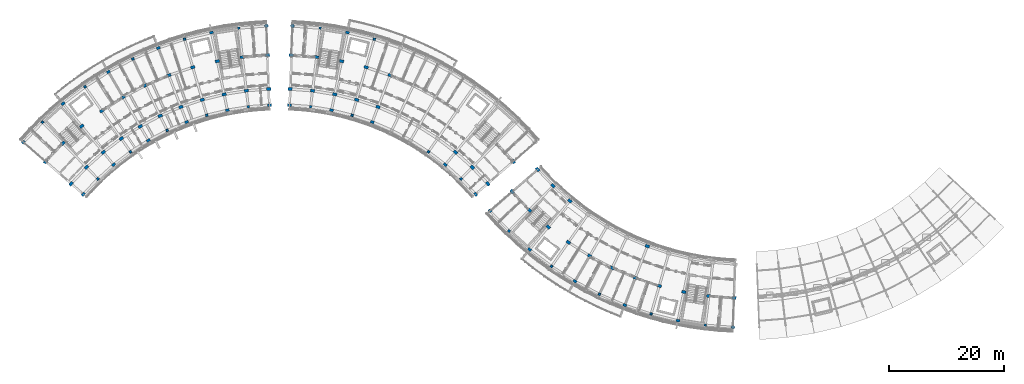
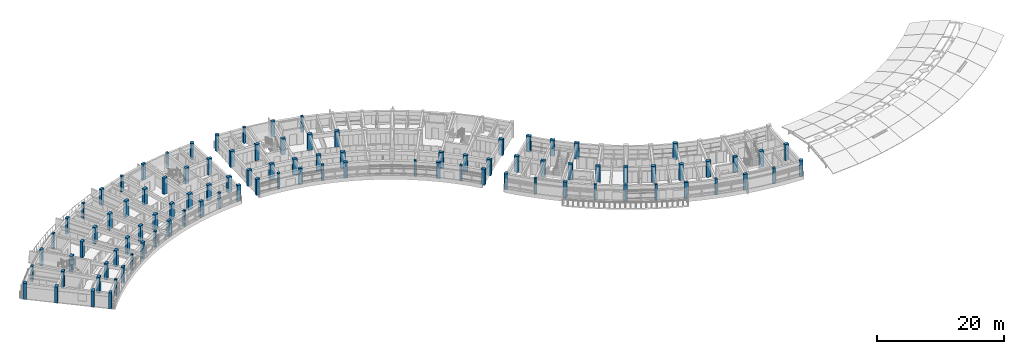
# One storey, part 1 of 50: 97 columns.
"""IFC4 building model written with IfcOpenShell, lengths in metres."""

import ifcopenshell
import ifcopenshell.guid

model = None  # the IFC model being written
_history = None  # IfcOwnerHistory: only IFC2X3 demands one
_inside = {}  # id of a spatial element -> (the spatial element, [elements in it])
_under = {}  # id of a project, library or spatial element -> (it, [spatial elements below it])
_declared = {}  # id of a project -> (the project, [libraries it declares])
_typed = {}  # id of a type object -> (the type object, [elements of that type])
_made_of = {}  # id of a material, layer set ... -> (it, [elements and type objects made of it])


def new_model(schema):
    """Start an empty IFC model of exactly this schema.

    Asked for "IFC4X3", IfcOpenShell would pick the latest addendum, in which some entities
    have other attributes; the version numbers below select the first issue.
    IFC2X3 requires an IfcOwnerHistory on every rooted entity: one is made here for all.
    """
    global model, _history
    if schema == "IFC4X3":
        model = ifcopenshell.file(schema_version=(4, 3, 0, 0))
    else:
        model = ifcopenshell.file(schema=schema)
    _inside.clear()
    _under.clear()
    _declared.clear()
    _typed.clear()
    _made_of.clear()
    _history = None
    if model.schema == "IFC2X3":
        org = make("IfcOrganization", Name="unknown")
        user = make(
            "IfcPersonAndOrganization",
            ThePerson=make("IfcPerson", FamilyName="unknown"),
            TheOrganization=org,
        )
        app = make(
            "IfcApplication",
            ApplicationDeveloper=org,
            Version="unknown",
            ApplicationFullName="unknown",
            ApplicationIdentifier="unknown",
        )
        _history = make(
            "IfcOwnerHistory",
            OwningUser=user,
            OwningApplication=app,
            ChangeAction="ADDED",
            CreationDate=0,
        )
    return model


def make(cls, **values):
    """One entity of the class cls with the attributes given. An attribute that is None is left unset."""
    return model.create_entity(
        cls, **{name: value for name, value in values.items() if value is not None}
    )


def rooted(cls, **values):
    """An entity with a GlobalId (a new one), such as an element, a storey or a relation."""
    return make(cls, GlobalId=ifcopenshell.guid.new(), OwnerHistory=_history, **values)


def si_unit(unit_type, name, prefix=None):
    """IfcSIUnit, for example si_unit("LENGTHUNIT", "METRE", prefix="MILLI")."""
    return make("IfcSIUnit", UnitType=unit_type, Prefix=prefix, Name=name)


def assignment(units):
    """IfcUnitAssignment: the units of a project."""
    return None if units is None else make("IfcUnitAssignment", Units=units)


def point(xyz):
    """IfcCartesianPoint."""
    return None if xyz is None else make("IfcCartesianPoint", Coordinates=xyz)


def direction(xyz):
    """IfcDirection."""
    return None if xyz is None else make("IfcDirection", DirectionRatios=xyz)


def frame(location, z_axis=None, x_axis=None):
    """IfcAxis2Placement3D, a coordinate frame: its origin and axes. An axis left out is left unset."""
    return make(
        "IfcAxis2Placement3D",
        Location=point(location),
        Axis=direction(z_axis),
        RefDirection=direction(x_axis),
    )


def frame_2d(location, x_axis=None):
    """IfcAxis2Placement2D, a coordinate frame in the plane: its origin and x axis."""
    return make(
        "IfcAxis2Placement2D", Location=point(location), RefDirection=direction(x_axis)
    )


def origin():
    """The frame at (0, 0, 0) with its axes left unset."""
    return frame((0.0, 0.0, 0.0))


def origin_2d():
    """The frame at (0, 0) in the plane with its x axis left unset."""
    return frame_2d((0.0, 0.0))


def place(relative_to, where):
    """IfcLocalPlacement: puts the frame where relative to a parent placement (None: the world)."""
    return make(
        "IfcLocalPlacement", PlacementRelTo=relative_to, RelativePlacement=where
    )


def context(
    kind, dimensions, precision=None, world=None, true_north=None, identifier=None
):
    """IfcGeometricRepresentationContext, for example the 3D "Model" context."""
    return make(
        "IfcGeometricRepresentationContext",
        ContextIdentifier=identifier,
        ContextType=kind,
        CoordinateSpaceDimension=dimensions,
        Precision=precision,
        WorldCoordinateSystem=world,
        TrueNorth=true_north,
    )


def subcontext(parent, identifier, kind, view, scale=None):
    """IfcGeometricRepresentationSubContext, for example "Body" below "Model"."""
    return make(
        "IfcGeometricRepresentationSubContext",
        ContextIdentifier=identifier,
        ContextType=kind,
        ParentContext=parent,
        TargetScale=scale,
        TargetView=view,
    )


def project(units=None, contexts=None):
    """IfcProject with its units and contexts."""
    return rooted(
        "IfcProject",
        Name="project",
        RepresentationContexts=contexts,
        UnitsInContext=assignment(units),
    )


def spatial(cls, under=None, at=None, **own):
    """A site, building, storey or space (cls), placed at a placement, below another one or the project."""
    s = rooted(cls, ObjectPlacement=at, **own)
    if under is not None:
        _under.setdefault(under.id(), (under, []))[1].append(s)
    return s


def profile(cls, at=None, kind="AREA", **sizes):
    """A parametric profile (cls). Its sizes go by their IFC names, for example OverallWidth=200.0."""
    return make(cls, ProfileType=kind, Position=at, **sizes)


def rectangle(**sizes):
    """IfcRectangleProfileDef."""
    return profile("IfcRectangleProfileDef", **sizes)


def circle(**sizes):
    """IfcCircleProfileDef."""
    return profile("IfcCircleProfileDef", **sizes)


def extrude(swept, where, along, depth):
    """IfcExtrudedAreaSolid: the profile swept, set in the frame where, extruded along a direction by depth."""
    return make(
        "IfcExtrudedAreaSolid",
        SweptArea=swept,
        Position=where,
        ExtrudedDirection=direction(along),
        Depth=depth,
    )


def shape(context_of_items, identifier, shape_type, items):
    """IfcShapeRepresentation: the items that make up one representation, for example the "Body"."""
    return make(
        "IfcShapeRepresentation",
        ContextOfItems=context_of_items,
        RepresentationIdentifier=identifier,
        RepresentationType=shape_type,
        Items=items,
    )


def material(Name=None, Category=None):
    """IfcMaterial."""
    return make("IfcMaterial", Name=Name, Category=Category)


def material_profile(
    of_material, cross_section, Name=None, Category=None, Priority=None
):
    """IfcMaterialProfile: a cross section and its material."""
    return make(
        "IfcMaterialProfile",
        Name=Name,
        Material=of_material,
        Profile=cross_section,
        Priority=Priority,
        Category=Category,
    )


def profile_set(profiles, Name=None, composite=None):
    """IfcMaterialProfileSet."""
    return make(
        "IfcMaterialProfileSet",
        Name=Name,
        MaterialProfiles=profiles,
        CompositeProfile=composite,
    )


def made_of(thing, what):
    """Note that an element or type object is made of a material, layer set ...; save() writes the relation."""
    if what is not None:
        _made_of.setdefault(what.id(), (what, []))[1].append(thing)
    return thing


def type_object(cls, material=None, **own):
    """A type object (cls), such as IfcWallType, which elements share."""
    return made_of(rooted(cls, **own), material)


def element(
    cls,
    number,
    at=None,
    inside=None,
    cuts=None,
    type_object=None,
    material=None,
    context=None,
    identifier="Body",
    shape_type=None,
    held_by="IfcProductDefinitionShape",
    body=None,
    shapes=None,
    **own,
):
    """One element of the class cls, such as IfcWall. Its Tag is "e" and its number.

    at: its placement. inside: the storey or other place that contains it. cuts: it is an
    opening in that element (IfcRelVoidsElement). A single representation is given by context,
    identifier, shape_type and body (its items); several are given by shapes. held_by: the class
    of the entity that holds the representations. save() writes the other relations.
    """
    e = rooted(cls, Tag="e%d" % number, ObjectPlacement=at, **own)
    if body is not None:
        shapes = [shape(context, identifier, shape_type, body)]
    if shapes is not None:
        e.Representation = make(held_by, Representations=shapes)
    if inside is not None:
        _inside.setdefault(inside.id(), (inside, []))[1].append(e)
    if cuts is not None:
        rooted(
            "IfcRelVoidsElement", RelatingBuildingElement=cuts, RelatedOpeningElement=e
        )
    if type_object is not None:
        _typed.setdefault(type_object.id(), (type_object, []))[1].append(e)
    return made_of(e, material)


def aggregate(whole, parts):
    """IfcRelAggregates: a whole, such as a stair, and the parts it consists of."""
    return rooted("IfcRelAggregates", RelatingObject=whole, RelatedObjects=parts)


def save(model, path):
    """Write the relations noted so far, then the file.

    IfcRelAggregates (storeys below a building ...), IfcRelContainedInSpatialStructure (elements
    in a storey), IfcRelDefinesByType, IfcRelAssociatesMaterial and IfcRelDeclares: one each for
    every whole, place, type object, material and project.
    """
    for whole, parts in _under.values():
        aggregate(whole, parts)
    for where, things in _inside.values():
        rooted(
            "IfcRelContainedInSpatialStructure",
            RelatedElements=things,
            RelatingStructure=where,
        )
    for kind, things in _typed.values():
        rooted("IfcRelDefinesByType", RelatedObjects=things, RelatingType=kind)
    for what, things in _made_of.values():
        rooted("IfcRelAssociatesMaterial", RelatedObjects=things, RelatingMaterial=what)
    for by, libraries in _declared.values():
        rooted("IfcRelDeclares", RelatingContext=by, RelatedDefinitions=libraries)
    model.write(path)


model = new_model("IFC4")

# Units and contexts
model_context = context("Model", 3, precision=1e-05, world=origin(), true_north=direction((0.0, 1.0)))
body_context = subcontext(model_context, "Body", "Model", "MODEL_VIEW")
ifc_project = project(units=[si_unit("LENGTHUNIT", "METRE"), si_unit("AREAUNIT", "SQUARE_METRE"), si_unit("VOLUMEUNIT", "CUBIC_METRE"), si_unit("PLANEANGLEUNIT", "RADIAN"), si_unit("MASSUNIT", "GRAM", prefix="KILO")], contexts=[model_context])

# Site, building, storey
site_placement = place(None, origin())
site = spatial("IfcSite", under=ifc_project, at=site_placement, CompositionType="ELEMENT")
building_placement = place(site_placement, origin())
building = spatial("IfcBuilding", under=site, at=building_placement, Name="Zimvara Arc Housing Community", CompositionType="ELEMENT")
storey_placement = place(building_placement, frame((0.0, 0.0, 26.699951171875)))
storey = spatial("IfcBuildingStorey", under=building, at=storey_placement, Name="L08", CompositionType="ELEMENT", Elevation=26.699951171875)

# Columns
ifc_material_1 = material(Name="Concrete C40/50", Category="concrete")
ifc_material_profile_1 = material_profile(ifc_material_1, rectangle(XDim=0.39990234375, YDim=0.39990234375, at=origin_2d()), Name="RC 400x400")
ifc_profile_set_1 = profile_set([ifc_material_profile_1], Name="Concrete C40/50")
column_type_1 = type_object("IfcColumnType", Name="COL-RC-400x400", PredefinedType="COLUMN", material=ifc_profile_set_1)
for number, where, z_axis, x_axis, name in (
    (1, (13.476318359375, 76.781005859375, 0.0), (0.0, 0.0, 1.0), (-0.698665066769, 0.715448897181, 0.0), "col:blkA:L08:b1:r0"),
    (2, (3.862548828125, 86.625732421875, 0.0), (0.0, 0.0, 1.0), (-0.698665066769, 0.715448897181, 0.0), "col:blkA:L08:b1:r3"),
    (3, (19.14599609375, 81.478271484375, 0.0), (0.0, 0.0, 1.0), (-0.573004420611, 0.819552276527, 0.0), "col:blkA:L08:b3:r0"),
    (4, (11.261474609375, 92.755126953125, 0.0), (0.0, 0.0, 1.0), (-0.573004420611, 0.819552276527, 0.0), "col:blkA:L08:b3:r3"),
    (5, (25.50439453125, 85.190673828125, 0.0), (0.0, 0.0, 1.0), (-0.432085748802, 0.901832526405, 0.0), "col:blkA:L08:b5:r0"),
    (6, (19.558837890625, 97.599853515625, 0.0), (0.0, 0.0, 1.0), (-0.432085748802, 0.901832526405, 0.0), "col:blkA:L08:b5:r3"),
    (7, (32.381591796875, 87.819580078125, 0.0), (0.0, 0.0, 1.0), (-0.27966144946, 0.96009867914, 0.0), "col:blkA:L08:b7:r0"),
    (8, (28.533447265625, 101.030517578125, 0.0), (0.0, 0.0, 1.0), (-0.27966144946, 0.96009867914, 0.0), "col:blkA:L08:b7:r3"),
    (9, (39.594970703125, 89.295166015625, 0.0), (0.0, 0.0, 1.0), (-0.119790293837, 0.992799217114, 0.0), "col:blkA:L08:b9:r0"),
    (10, (37.94677734375, 102.9560546875, 0.0), (0.0, 0.0, 1.0), (-0.119790293837, 0.992799217114, 0.0), "col:blkA:L08:b9:r3"),
    (11, (50.405029296875, 89.295166015625, 0.0), (0.0, 0.0, 1.0), (0.119790293837, 0.992799217114, 0.0), "col:blkB:L08:b1:r0"),
    (12, (52.05322265625, 102.9560546875, 0.0), (0.0, 0.0, 1.0), (0.119790293837, 0.992799217114, 0.0), "col:blkB:L08:b1:r3"),
    (13, (57.618408203125, 87.819580078125, 0.0), (0.0, 0.0, 1.0), (0.27966144946, 0.96009867914, 0.0), "col:blkB:L08:b3:r0"),
    (14, (61.466552734375, 101.030517578125, 0.0), (0.0, 0.0, 1.0), (0.27966144946, 0.96009867914, 0.0), "col:blkB:L08:b3:r3"),
    (15, (70.85400390625, 81.478271484375, 0.0), (0.0, 0.0, 1.0), (0.573004420611, 0.819552276527, 0.0), "col:blkB:L08:b7:r0"),
    (16, (76.523681640625, 76.781005859375, 0.0), (0.0, 0.0, 1.0), (0.698665066769, 0.715448897181, 0.0), "col:blkB:L08:b9:r0"),
    (17, (84.842529296875, 67.734375, 0.0), (0.0, 0.0, 1.0), (-0.698665066769, -0.715448897181, 0.0), "col:blkC:L08:b1:r3"),
    (18, (92.241455078125, 61.604736328125, 0.0), (0.0, 0.0, 1.0), (-0.573004420611, -0.819552276527, 0.0), "col:blkC:L08:b3:r3"),
    (19, (100.538818359375, 56.760009765625, 0.0), (0.0, 0.0, 1.0), (-0.432085748802, -0.901832526405, 0.0), "col:blkC:L08:b5:r3"),
    (20, (109.513427734375, 53.329345703125, 0.0), (0.0, 0.0, 1.0), (-0.27966144946, -0.96009867914, 0.0), "col:blkC:L08:b7:r3"),
    (21, (118.9267578125, 51.404052734375, 0.0), (0.0, 0.0, 1.0), (-0.119790293837, -0.992799217114, 0.0), "col:blkC:L08:b9:r3"),
):
    element("IfcColumn", number, at=place(storey_placement, frame(where, z_axis=z_axis, x_axis=x_axis)), inside=storey, type_object=column_type_1, Name=name, PredefinedType="COLUMN", context=body_context, shape_type="SweptSolid", body=[
        extrude(rectangle(XDim=0.39990234375, YDim=0.39990234375, at=origin_2d()), origin(), (0.0, 0.0, 1.0), 3.10009765625),
    ])
ifc_material_2 = material(Name="Concrete C40/50", Category="concrete")
ifc_material_profile_2 = material_profile(ifc_material_2, rectangle(XDim=0.449951171875, YDim=0.64990234375, at=origin_2d()), Name="RC 450x650")
ifc_profile_set_2 = profile_set([ifc_material_profile_2], Name="Concrete C40/50")
column_type_2 = type_object("IfcColumnType", Name="COL-RC-450x650", PredefinedType="COLUMN", material=ifc_profile_set_2)
for number, where, z_axis, x_axis, name in (
    (22, (10.947509765625, 74.101318359375, 0.0), (0.0, 0.0, 1.0), (-0.754709580223, 0.656059028991, 0.0), "col:blkA:L08:b0:r0"),
    (23, (16.215087890625, 79.245361328125, 0.0), (0.0, 0.0, 1.0), (-0.637961754089, 0.770068049148, 0.0), "col:blkA:L08:b2:r0"),
    (24, (7.436767578125, 89.841552734375, 0.0), (0.0, 0.0, 1.0), (-0.637961754089, 0.770068049148, 0.0), "col:blkA:L08:b2:r3"),
    (25, (22.249267578125, 83.46435546875, 0.0), (0.0, 0.0, 1.0), (-0.504226211181, 0.863571611366, 0.0), "col:blkA:L08:b4:r0"),
    (26, (15.311279296875, 95.34716796875, 0.0), (0.0, 0.0, 1.0), (-0.504226211181, 0.863571611366, 0.0), "col:blkA:L08:b4:r3"),
    (27, (28.88916015625, 86.645751953125, 0.0), (0.0, 0.0, 1.0), (-0.357064076459, 0.934079892355, 0.0), "col:blkA:L08:b6:r0"),
    (28, (23.97607421875, 99.49853515625, 0.0), (0.0, 0.0, 1.0), (-0.357064076459, 0.934079892355, 0.0), "col:blkA:L08:b6:r3"),
    (29, (35.958251953125, 88.704833984375, 0.0), (0.0, 0.0, 1.0), (-0.200393999665, 0.979715389742, 0.0), "col:blkA:L08:b8:r0"),
    (30, (33.20068359375, 102.185546875, 0.0), (0.0, 0.0, 1.0), (-0.200393999665, 0.979715389742, 0.0), "col:blkA:L08:b8:r3"),
    (31, (43.267822265625, 89.586669921875, 0.0), (0.0, 0.0, 1.0), (-0.038387809088, 0.999262916411, 0.0), "col:blkA:L08:b10:r0"),
    (32, (46.732177734375, 89.586669921875, 0.0), (0.0, 0.0, 1.0), (0.038387809088, 0.999262916411, 0.0), "col:blkB:L08:b0:r0"),
    (33, (54.041748046875, 88.704833984375, 0.0), (0.0, 0.0, 1.0), (0.200393999665, 0.979715389742, 0.0), "col:blkB:L08:b2:r0"),
    (34, (56.79931640625, 102.185546875, 0.0), (0.0, 0.0, 1.0), (0.200393999665, 0.979715389742, 0.0), "col:blkB:L08:b2:r3"),
    (35, (61.11083984375, 86.645751953125, 0.0), (0.0, 0.0, 1.0), (0.357064076459, 0.934079892355, 0.0), "col:blkB:L08:b4:r0"),
    (36, (73.784912109375, 79.245361328125, 0.0), (0.0, 0.0, 1.0), (0.637961754089, 0.770068049148, 0.0), "col:blkB:L08:b8:r0"),
    (37, (79.052490234375, 74.101318359375, 0.0), (0.0, 0.0, 1.0), (0.754709580223, 0.656059028991, 0.0), "col:blkB:L08:b10:r0"),
    (38, (88.416748046875, 64.518310546875, 0.0), (0.0, 0.0, 1.0), (-0.637961754089, -0.770068049148, 0.0), "col:blkC:L08:b2:r3"),
    (39, (96.291259765625, 59.012939453125, 0.0), (0.0, 0.0, 1.0), (-0.504226211181, -0.863571611366, 0.0), "col:blkC:L08:b4:r3"),
    (40, (104.9560546875, 54.861328125, 0.0), (0.0, 0.0, 1.0), (-0.357064076459, -0.934079892355, 0.0), "col:blkC:L08:b6:r3"),
    (41, (114.180908203125, 52.17431640625, 0.0), (0.0, 0.0, 1.0), (-0.200393999665, -0.979715389742, 0.0), "col:blkC:L08:b8:r3"),
):
    element("IfcColumn", number, at=place(storey_placement, frame(where, z_axis=z_axis, x_axis=x_axis)), inside=storey, type_object=column_type_2, Name=name, PredefinedType="COLUMN", context=body_context, shape_type="SweptSolid", body=[
        extrude(rectangle(XDim=0.449951171875, YDim=0.64990234375, at=origin_2d()), origin(), (0.0, 0.0, 1.0), 3.10009765625),
    ])
ifc_material_3 = material(Name="Concrete C40/50", Category="concrete")
ifc_material_profile_3 = material_profile(ifc_material_3, rectangle(XDim=0.5, YDim=0.75, at=origin_2d()), Name="RC 500x750")
ifc_profile_set_3 = profile_set([ifc_material_profile_3], Name="Concrete C40/50")
column_type_3 = type_object("IfcColumnType", Name="COL-RC-500x750", PredefinedType="COLUMN", material=ifc_profile_set_3)
for number, where, z_axis, x_axis, name in (
    (42, (8.834228515625, 75.938232421875, 0.0), (0.0, 0.0, 1.0), (-0.754709580223, 0.656059028991, 0.0), "col:blkA:L08:b0:r1"),
    (43, (4.396728515625, 79.7958984375, 0.0), (0.0, 0.0, 1.0), (-0.754709580223, 0.656059028991, 0.0), "col:blkA:L08:b0:r2"),
    (44, (11.52001953125, 78.784423828125, 0.0), (0.0, 0.0, 1.0), (-0.698665066769, 0.715448897181, 0.0), "col:blkA:L08:b1:r1"),
    (45, (7.411865234375, 82.9912109375, 0.0), (0.0, 0.0, 1.0), (-0.698665066769, 0.715448897181, 0.0), "col:blkA:L08:b1:r2"),
    (46, (14.428955078125, 81.401611328125, 0.0), (0.0, 0.0, 1.0), (-0.637961754089, 0.770068049148, 0.0), "col:blkA:L08:b2:r1"),
    (47, (10.677734375, 85.9296875, 0.0), (0.0, 0.0, 1.0), (-0.637961754089, 0.770068049148, 0.0), "col:blkA:L08:b2:r2"),
    (48, (17.541748046875, 83.77294921875, 0.0), (0.0, 0.0, 1.0), (-0.573004420611, 0.819552276527, 0.0), "col:blkA:L08:b3:r1"),
    (49, (14.17236328125, 88.591796875, 0.0), (0.0, 0.0, 1.0), (-0.573004420611, 0.819552276527, 0.0), "col:blkA:L08:b3:r2"),
    (50, (20.83740234375, 85.88232421875, 0.0), (0.0, 0.0, 1.0), (-0.504226211181, 0.863571611366, 0.0), "col:blkA:L08:b4:r1"),
    (51, (17.87255859375, 90.960205078125, 0.0), (0.0, 0.0, 1.0), (-0.504226211181, 0.863571611366, 0.0), "col:blkA:L08:b4:r2"),
    (52, (24.29443359375, 87.7158203125, 0.0), (0.0, 0.0, 1.0), (-0.432085748802, 0.901832526405, 0.0), "col:blkA:L08:b5:r1"),
    (53, (21.75390625, 93.0185546875, 0.0), (0.0, 0.0, 1.0), (-0.432085748802, 0.901832526405, 0.0), "col:blkA:L08:b5:r2"),
    (54, (27.889404296875, 89.260986328125, 0.0), (0.0, 0.0, 1.0), (-0.357064076459, 0.934079892355, 0.0), "col:blkA:L08:b6:r1"),
    (55, (25.7900390625, 94.75341796875, 0.0), (0.0, 0.0, 1.0), (-0.357064076459, 0.934079892355, 0.0), "col:blkA:L08:b6:r2"),
    (56, (31.5986328125, 90.5078125, 0.0), (0.0, 0.0, 1.0), (-0.27966144946, 0.96009867914, 0.0), "col:blkA:L08:b7:r1"),
    (57, (29.9541015625, 96.1533203125, 0.0), (0.0, 0.0, 1.0), (-0.27966144946, 0.96009867914, 0.0), "col:blkA:L08:b7:r2"),
    (58, (35.397216796875, 91.447998046875, 0.0), (0.0, 0.0, 1.0), (-0.200393999665, 0.979715389742, 0.0), "col:blkA:L08:b8:r1"),
    (59, (34.21875, 97.208740234375, 0.0), (0.0, 0.0, 1.0), (-0.200393999665, 0.979715389742, 0.0), "col:blkA:L08:b8:r2"),
    (60, (39.259765625, 92.074951171875, 0.0), (0.0, 0.0, 1.0), (-0.119790293837, 0.992799217114, 0.0), "col:blkA:L08:b9:r1"),
    (61, (38.55517578125, 97.91259765625, 0.0), (0.0, 0.0, 1.0), (-0.119790293837, 0.992799217114, 0.0), "col:blkA:L08:b9:r2"),
    (62, (43.160400390625, 92.384765625, 0.0), (0.0, 0.0, 1.0), (-0.038387809088, 0.999262916411, 0.0), "col:blkA:L08:b10:r1"),
    (63, (42.934814453125, 98.26025390625, 0.0), (0.0, 0.0, 1.0), (-0.038387809088, 0.999262916411, 0.0), "col:blkA:L08:b10:r2"),
    (64, (46.839599609375, 92.384765625, 0.0), (0.0, 0.0, 1.0), (0.038387809088, 0.999262916411, 0.0), "col:blkB:L08:b0:r1"),
    (65, (47.065185546875, 98.26025390625, 0.0), (0.0, 0.0, 1.0), (0.038387809088, 0.999262916411, 0.0), "col:blkB:L08:b0:r2"),
    (66, (50.740234375, 92.074951171875, 0.0), (0.0, 0.0, 1.0), (0.119790293837, 0.992799217114, 0.0), "col:blkB:L08:b1:r1"),
    (67, (51.44482421875, 97.91259765625, 0.0), (0.0, 0.0, 1.0), (0.119790293837, 0.992799217114, 0.0), "col:blkB:L08:b1:r2"),
    (68, (54.602783203125, 91.447998046875, 0.0), (0.0, 0.0, 1.0), (0.200393999665, 0.979715389742, 0.0), "col:blkB:L08:b2:r1"),
    (69, (55.78125, 97.208740234375, 0.0), (0.0, 0.0, 1.0), (0.200393999665, 0.979715389742, 0.0), "col:blkB:L08:b2:r2"),
    (70, (58.4013671875, 90.5078125, 0.0), (0.0, 0.0, 1.0), (0.27966144946, 0.96009867914, 0.0), "col:blkB:L08:b3:r1"),
    (71, (60.0458984375, 96.1533203125, 0.0), (0.0, 0.0, 1.0), (0.27966144946, 0.96009867914, 0.0), "col:blkB:L08:b3:r2"),
    (72, (62.110595703125, 89.260986328125, 0.0), (0.0, 0.0, 1.0), (0.357064076459, 0.934079892355, 0.0), "col:blkB:L08:b4:r1"),
    (73, (64.2099609375, 94.75341796875, 0.0), (0.0, 0.0, 1.0), (0.357064076459, 0.934079892355, 0.0), "col:blkB:L08:b4:r2"),
    (74, (75.571044921875, 81.401611328125, 0.0), (0.0, 0.0, 1.0), (0.637961754089, 0.770068049148, 0.0), "col:blkB:L08:b8:r1"),
    (75, (78.47998046875, 78.784423828125, 0.0), (0.0, 0.0, 1.0), (0.698665066769, 0.715448897181, 0.0), "col:blkB:L08:b9:r1"),
    (76, (81.165771484375, 75.938232421875, 0.0), (0.0, 0.0, 1.0), (0.754709580223, 0.656059028991, 0.0), "col:blkB:L08:b10:r1"),
    (77, (85.603271484375, 79.7958984375, 0.0), (0.0, 0.0, 1.0), (0.754709580223, 0.656059028991, 0.0), "col:blkB:L08:b10:r2"),
    (78, (89.814208984375, 78.421630859375, 0.0), (0.0, 0.0, 1.0), (-0.754709580223, -0.656059028991, 0.0), "col:blkC:L08:b0:r1"),
    (79, (85.376708984375, 74.56396484375, 0.0), (0.0, 0.0, 1.0), (-0.754709580223, -0.656059028991, 0.0), "col:blkC:L08:b0:r2"),
    (80, (92.5, 75.57568359375, 0.0), (0.0, 0.0, 1.0), (-0.698665066769, -0.715448897181, 0.0), "col:blkC:L08:b1:r1"),
    (81, (88.391845703125, 71.368896484375, 0.0), (0.0, 0.0, 1.0), (-0.698665066769, -0.715448897181, 0.0), "col:blkC:L08:b1:r2"),
    (82, (95.408935546875, 72.958251953125, 0.0), (0.0, 0.0, 1.0), (-0.637961754089, -0.770068049148, 0.0), "col:blkC:L08:b2:r1"),
    (83, (91.65771484375, 68.430419921875, 0.0), (0.0, 0.0, 1.0), (-0.637961754089, -0.770068049148, 0.0), "col:blkC:L08:b2:r2"),
    (84, (95.15234375, 65.76806640625, 0.0), (0.0, 0.0, 1.0), (-0.573004420611, -0.819552276527, 0.0), "col:blkC:L08:b3:r2"),
    (85, (98.8525390625, 63.39990234375, 0.0), (0.0, 0.0, 1.0), (-0.504226211181, -0.863571611366, 0.0), "col:blkC:L08:b4:r2"),
    (86, (102.73388671875, 61.34130859375, 0.0), (0.0, 0.0, 1.0), (-0.432085748802, -0.901832526405, 0.0), "col:blkC:L08:b5:r2"),
    (87, (108.869384765625, 65.098876953125, 0.0), (0.0, 0.0, 1.0), (-0.357064076459, -0.934079892355, 0.0), "col:blkC:L08:b6:r1"),
    (88, (106.77001953125, 59.6064453125, 0.0), (0.0, 0.0, 1.0), (-0.357064076459, -0.934079892355, 0.0), "col:blkC:L08:b6:r2"),
    (89, (110.934326171875, 58.206787109375, 0.0), (0.0, 0.0, 1.0), (-0.27966144946, -0.96009867914, 0.0), "col:blkC:L08:b7:r2"),
    (90, (115.19873046875, 57.1513671875, 0.0), (0.0, 0.0, 1.0), (-0.200393999665, -0.979715389742, 0.0), "col:blkC:L08:b8:r2"),
    (91, (119.535400390625, 56.447509765625, 0.0), (0.0, 0.0, 1.0), (-0.119790293837, -0.992799217114, 0.0), "col:blkC:L08:b9:r2"),
    (92, (123.914794921875, 56.099609375, 0.0), (0.0, 0.0, 1.0), (-0.038387809088, -0.999262916411, 0.0), "col:blkC:L08:b10:r2"),
):
    element("IfcColumn", number, at=place(storey_placement, frame(where, z_axis=z_axis, x_axis=x_axis)), inside=storey, type_object=column_type_3, Name=name, PredefinedType="COLUMN", context=body_context, shape_type="SweptSolid", body=[
        extrude(rectangle(XDim=0.5, YDim=0.75, at=origin_2d()), origin(), (0.0, 0.0, 1.0), 3.10009765625),
    ])
ifc_material_4 = material(Name="Concrete C40/50", Category="concrete")
ifc_material_profile_4 = material_profile(ifc_material_4, circle(Radius=0.324951171875, at=origin_2d()), Name="RC D650")
ifc_profile_set_4 = profile_set([ifc_material_profile_4], Name="Concrete C40/50")
column_type_4 = type_object("IfcColumnType", Name="COL-RC-D600", PredefinedType="COLUMN", material=ifc_profile_set_4)
for number, where, z_axis, x_axis, name in (
    (93, (0.562744140625, 83.128662109375, 0.0), (0.0, 0.0, 1.0), (-0.754709580223, 0.656059028991, 0.0), "col:blkA:L08:b0:r3"),
    (94, (42.73974609375, 103.336669921875, 0.0), (0.0, 0.0, 1.0), (-0.038387809088, 0.999262916411, 0.0), "col:blkA:L08:b10:r3"),
    (95, (47.26025390625, 103.336669921875, 0.0), (0.0, 0.0, 1.0), (0.038387809088, 0.999262916411, 0.0), "col:blkB:L08:b0:r3"),
    (96, (81.542724609375, 71.231201171875, 0.0), (0.0, 0.0, 1.0), (-0.754709580223, -0.656059028991, 0.0), "col:blkC:L08:b0:r3"),
    (97, (123.7197265625, 51.0234375, 0.0), (0.0, 0.0, 1.0), (-0.038387809088, -0.999262916411, 0.0), "col:blkC:L08:b10:r3"),
):
    element("IfcColumn", number, at=place(storey_placement, frame(where, z_axis=z_axis, x_axis=x_axis)), inside=storey, type_object=column_type_4, Name=name, PredefinedType="COLUMN", context=body_context, shape_type="SweptSolid", body=[
        extrude(circle(Radius=0.324951171875, at=origin_2d()), origin(), (0.0, 0.0, 1.0), 3.10009765625),
    ])

save(model, "model.ifc")
